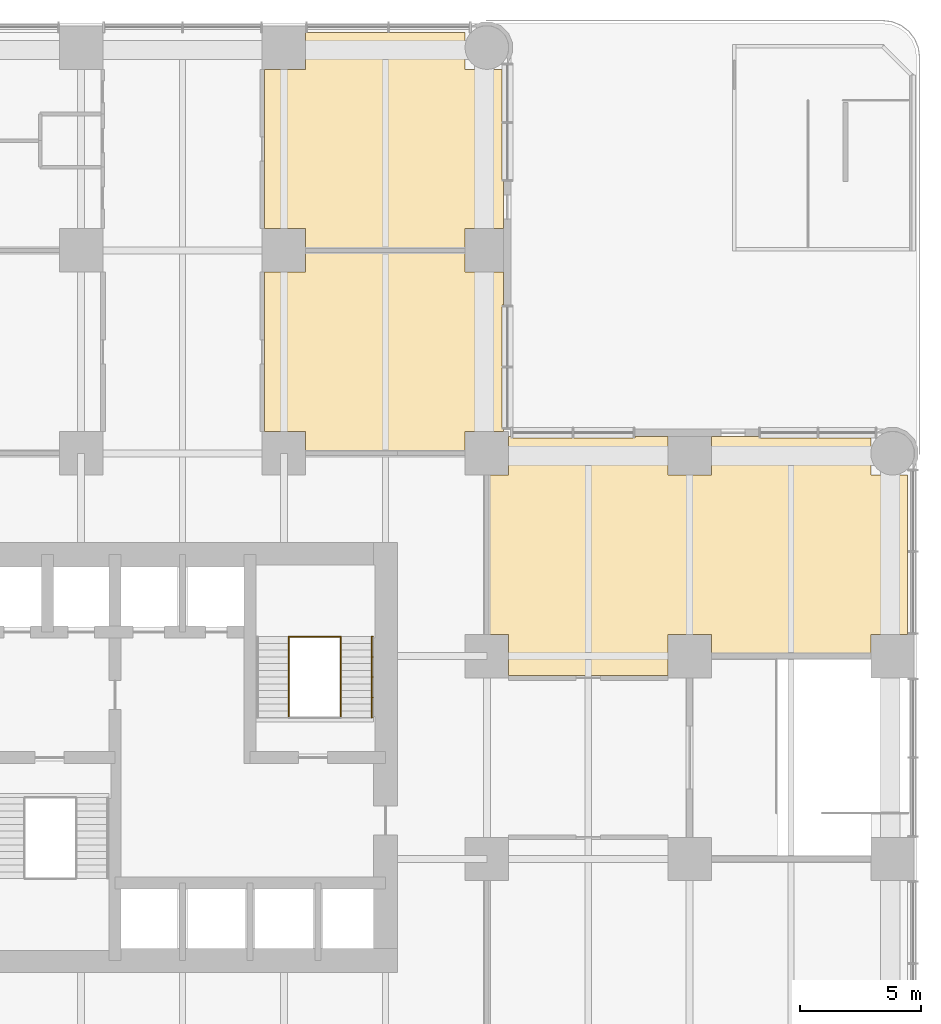
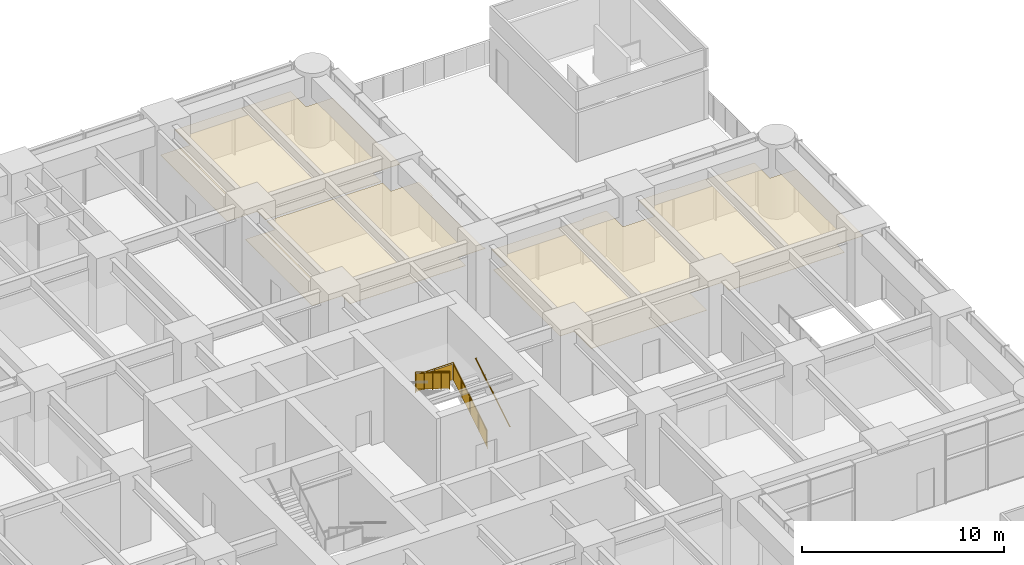
# One storey, part 19 of 21: 4 railings, 3 coverings.
"""IFC4 building model written with IfcOpenShell, lengths in metres."""

from ifc_helpers import new_model, si_unit, direction, frame, origin, origin_2d, place, context, subcontext, project, spatial, polyline, circle, outline, extrude, material, layer, layer_set, type_object, element, save


model = new_model("IFC4")

# Units and contexts
model_context = context("Model", 3, precision=1e-05, world=origin(), true_north=direction((0.0, 1.0)))
body_context = subcontext(model_context, "Body", "Model", "MODEL_VIEW")
ifc_project = project(units=[si_unit("LENGTHUNIT", "METRE"), si_unit("AREAUNIT", "SQUARE_METRE"), si_unit("VOLUMEUNIT", "CUBIC_METRE"), si_unit("PLANEANGLEUNIT", "RADIAN"), si_unit("MASSUNIT", "GRAM", prefix="KILO")], contexts=[model_context])

# Site, building, storey
site_placement = place(None, origin())
site = spatial("IfcSite", under=ifc_project, at=site_placement, CompositionType="ELEMENT")
building_placement = place(site_placement, origin())
building = spatial("IfcBuilding", under=site, at=building_placement, Name="Torre Alcanfor", CompositionType="ELEMENT")
storey_placement = place(building_placement, frame((0.0, 0.0, 24.0)))
storey = spatial("IfcBuildingStorey", under=building, at=storey_placement, Name="L05", CompositionType="ELEMENT", Elevation=24.0)

# Coverings
ifc_material_1 = material(Name="Mineral fibre acoustic tile 20 mm, NRC 0.70, on exposed suspension grid", Category="mineral fibre")
ifc_layer = layer(ifc_material_1, 0.02001953125)
ifc_layer_set = layer_set([ifc_layer], Name="Acoustic suspended ceiling 600x600 mineral fibre tile")
covering_type = type_object("IfcCoveringType", Name="Acoustic suspended ceiling 600x600 mineral fibre tile", PredefinedType="CEILING", material=ifc_layer_set)
covering_1_placement = place(storey_placement, frame((0.0, 0.0, 2.699951171875)))
element("IfcCovering", 1, at=covering_1_placement, inside=storey, type_object=covering_type, Name="Ceiling L05-07", PredefinedType="CEILING", context=body_context, shape_type="SweptSolid", body=[
    extrude(outline(polyline([(42.89990234375, 42.699951171875), (42.89990234375, 41.10009765625), (42.10009765625, 41.10009765625), (42.10009765625, 34.5), (42.89990234375, 34.5), (42.89990234375, 32.800048828125), (49.5, 32.800048828125), (49.5, 34.5), (51.300048828125, 34.5), (51.300048828125, 33.72509765625), (57.89990234375, 33.72509765625), (57.89990234375, 34.5), (59.425048828125, 34.5), (59.425048828125, 41.10009765625), (57.89990234375, 41.10009765625), (57.89990234375, 42.625), (53.2666015625, 42.625), (53.2666015625, 42.699951171875), (51.300048828125, 42.699951171875), (51.300048828125, 41.10009765625), (49.5, 41.10009765625), (49.5, 42.699951171875), (48.13330078125, 42.699951171875), (48.13330078125, 42.625), (43.0, 42.625), (43.0, 42.699951171875), (42.89990234375, 42.699951171875)])), origin(), (0.0, 0.0, 1.0), 0.02001953125),
])
covering_2_placement = place(storey_placement, frame((0.0, 0.0, 2.699951171875)))
element("IfcCovering", 2, at=covering_2_placement, inside=storey, type_object=covering_type, Name="Ceiling L05-09", PredefinedType="CEILING", context=body_context, shape_type="SweptSolid", body=[
    extrude(outline(polyline([(34.5, 50.324951171875), (34.5, 49.5), (32.800048828125, 49.5), (32.800048828125, 42.89990234375), (34.5, 42.89990234375), (34.5, 42.10009765625), (41.10009765625, 42.10009765625), (41.10009765625, 42.89990234375), (42.699951171875, 42.89990234375), (42.699951171875, 43.0), (42.625, 43.0), (42.625, 48.13330078125), (42.699951171875, 48.13330078125), (42.699951171875, 49.5), (41.10009765625, 49.5), (41.10009765625, 50.324951171875), (34.5, 50.324951171875)])), origin(), (0.0, 0.0, 1.0), 0.02001953125),
])
covering_3_placement = place(storey_placement, frame((0.0, 0.0, 2.699951171875)))
element("IfcCovering", 3, at=covering_3_placement, inside=storey, type_object=covering_type, Name="Ceiling L05-11", PredefinedType="CEILING", context=body_context, shape_type="SweptSolid", body=[
    extrude(outline(polyline([(41.10009765625, 51.300048828125), (42.699951171875, 51.300048828125), (42.699951171875, 53.2666015625), (42.625, 53.2666015625), (42.625, 57.89990234375), (41.10009765625, 57.89990234375), (41.10009765625, 59.425048828125), (34.5, 59.425048828125), (34.5, 57.89990234375), (32.800048828125, 57.89990234375), (32.800048828125, 51.300048828125), (34.5, 51.300048828125), (34.5, 50.47509765625), (41.10009765625, 50.47509765625), (41.10009765625, 51.300048828125)])), origin(), (0.0, 0.0, 1.0), 0.02001953125),
])

# Railings
ifc_material_2 = material(Name="Steel ASTM A500 Grade C hollow sections", Category="steel")
railing_type_1 = type_object("IfcRailingType", Name="Stair guard and handrail 1100", PredefinedType="GUARDRAIL", material=ifc_material_2)
railing_1_placement = place(storey_placement, frame((35.949951171875, 31.050048828125, 0.173095703125)))
element("IfcRailing", 4, at=railing_1_placement, inside=storey, type_object=railing_type_1, Name="Stair guard S2 L05 flight 1", PredefinedType="GUARDRAIL", context=body_context, shape_type="SweptSolid", body=[
    extrude(circle(Radius=0.02392578125, at=origin_2d()), frame((0.0, 0.0, 1.076171875), z_axis=(0.0, 0.850606129759, 0.525803396734), x_axis=(-1.0, 0.0, 0.0)), (0.0, 0.0, 1.0), 3.949951171875),
    extrude(circle(Radius=0.02099609375, at=origin_2d()), origin(), (0.0, 0.0, 1.0), 1.052001953125),
    extrude(circle(Radius=0.02099609375, at=origin_2d()), frame((0.0, 0.83984375, 0.519287109375)), (0.0, 0.0, 1.0), 1.052001953125),
    extrude(circle(Radius=0.02099609375, at=origin_2d()), frame((0.0, 1.679931640625, 1.03857421875)), (0.0, 0.0, 1.0), 1.052001953125),
    extrude(circle(Radius=0.02099609375, at=origin_2d()), frame((0.0, 2.52001953125, 1.5576171875)), (0.0, 0.0, 1.0), 1.052001953125),
    extrude(circle(Radius=0.02099609375, at=origin_2d()), frame((0.0, 3.35986328125, 2.076904296875)), (0.0, 0.0, 1.0), 1.052001953125),
    extrude(outline(polyline([(0.041015625, 0.075439453125), (0.799072265625, 0.5439453125), (0.799072265625, 1.495849609375), (0.041015625, 1.02734375), (0.041015625, 0.075439453125)])), frame((-0.005859375, 0.0, 0.0), z_axis=(1.0, 0.0, 0.0), x_axis=(0.0, 1.0, 0.0)), (0.0, 0.0, 1.0), 0.011962890625),
    extrude(outline(polyline([(0.880859375, 0.594482421875), (1.638916015625, 1.06298828125), (1.638916015625, 2.01513671875), (0.880859375, 1.546630859375), (0.880859375, 0.594482421875)])), frame((-0.005859375, 0.0, 0.0), z_axis=(1.0, 0.0, 0.0), x_axis=(0.0, 1.0, 0.0)), (0.0, 0.0, 1.0), 0.011962890625),
    extrude(outline(polyline([(1.720947265625, 1.11376953125), (2.47900390625, 1.582275390625), (2.47900390625, 2.534423828125), (1.720947265625, 2.06591796875), (1.720947265625, 1.11376953125)])), frame((-0.005859375, 0.0, 0.0), z_axis=(1.0, 0.0, 0.0), x_axis=(0.0, 1.0, 0.0)), (0.0, 0.0, 1.0), 0.011962890625),
    extrude(outline(polyline([(2.560791015625, 1.633056640625), (3.31884765625, 2.1015625), (3.31884765625, 3.053466796875), (2.560791015625, 2.5849609375), (2.560791015625, 1.633056640625)])), frame((-0.005859375, 0.0, 0.0), z_axis=(1.0, 0.0, 0.0), x_axis=(0.0, 1.0, 0.0)), (0.0, 0.0, 1.0), 0.011962890625),
])
railing_2_placement = place(storey_placement, frame((33.800048828125, 34.409912109375, 2.423095703125)))
element("IfcRailing", 5, at=railing_2_placement, inside=storey, type_object=railing_type_1, Name="Stair guard S2 L05 flight 2", PredefinedType="GUARDRAIL", context=body_context, shape_type="SweptSolid", body=[
    extrude(circle(Radius=0.02392578125, at=origin_2d()), frame((0.0, 0.0, 1.076171875), z_axis=(0.0, -0.850606129759, 0.525803396734), x_axis=(1.0, 0.0, 0.0)), (0.0, 0.0, 1.0), 3.949951171875),
    extrude(circle(Radius=0.02099609375, at=origin_2d()), origin(), (0.0, 0.0, 1.0), 1.052001953125),
    extrude(circle(Radius=0.02099609375, at=origin_2d()), frame((0.0, -0.83984375, 0.519287109375)), (0.0, 0.0, 1.0), 1.052001953125),
    extrude(circle(Radius=0.02099609375, at=origin_2d()), frame((0.0, -1.679931640625, 1.03857421875)), (0.0, 0.0, 1.0), 1.052001953125),
    extrude(circle(Radius=0.02099609375, at=origin_2d()), frame((0.0, -2.52001953125, 1.5576171875)), (0.0, 0.0, 1.0), 1.052001953125),
    extrude(circle(Radius=0.02099609375, at=origin_2d()), frame((0.0, -3.35986328125, 2.076904296875)), (0.0, 0.0, 1.0), 1.052001953125),
    extrude(outline(polyline([(0.041015625, 0.075439453125), (0.799072265625, 0.5439453125), (0.799072265625, 1.495849609375), (0.041015625, 1.02734375), (0.041015625, 0.075439453125)])), frame((0.005859375, 0.0, 0.0), z_axis=(-1.0, 0.0, 0.0), x_axis=(0.0, -1.0, 0.0)), (0.0, 0.0, 1.0), 0.011962890625),
    extrude(outline(polyline([(0.880859375, 0.594482421875), (1.638916015625, 1.06298828125), (1.638916015625, 2.01513671875), (0.880859375, 1.546630859375), (0.880859375, 0.594482421875)])), frame((0.005859375, 0.0, 0.0), z_axis=(-1.0, 0.0, 0.0), x_axis=(0.0, -1.0, 0.0)), (0.0, 0.0, 1.0), 0.011962890625),
    extrude(outline(polyline([(1.720947265625, 1.11376953125), (2.47900390625, 1.582275390625), (2.47900390625, 2.534423828125), (1.720947265625, 2.06591796875), (1.720947265625, 1.11376953125)])), frame((0.005859375, 0.0, 0.0), z_axis=(-1.0, 0.0, 0.0), x_axis=(0.0, -1.0, 0.0)), (0.0, 0.0, 1.0), 0.011962890625),
    extrude(outline(polyline([(2.560791015625, 1.633056640625), (3.31884765625, 2.1015625), (3.31884765625, 3.053466796875), (2.560791015625, 2.5849609375), (2.560791015625, 1.633056640625)])), frame((0.005859375, 0.0, 0.0), z_axis=(-1.0, 0.0, 0.0), x_axis=(0.0, -1.0, 0.0)), (0.0, 0.0, 1.0), 0.011962890625),
])
railing_3_placement = place(storey_placement, frame((33.800048828125, 34.409912109375, 2.25)))
element("IfcRailing", 6, at=railing_3_placement, inside=storey, type_object=railing_type_1, Name="Stair well guard S2 L05 half landing", PredefinedType="GUARDRAIL", context=body_context, shape_type="SweptSolid", body=[
    extrude(circle(Radius=0.02392578125, at=origin_2d()), frame((0.0, 0.0, 1.076171875), z_axis=(1.0, 0.0, 0.0), x_axis=(0.0, 1.0, 0.0)), (0.0, 0.0, 1.0), 2.14990234375),
    extrude(circle(Radius=0.02099609375, at=origin_2d()), origin(), (0.0, 0.0, 1.0), 1.052001953125),
    extrude(circle(Radius=0.02099609375, at=origin_2d()), frame((1.074951171875, 0.0, 0.0)), (0.0, 0.0, 1.0), 1.052001953125),
    extrude(circle(Radius=0.02099609375, at=origin_2d()), frame((2.14990234375, 0.0, 0.0)), (0.0, 0.0, 1.0), 1.052001953125),
    extrude(outline(polyline([(0.041015625, 0.050048828125), (1.033935546875, 0.050048828125), (1.033935546875, 1.001953125), (0.041015625, 1.001953125), (0.041015625, 0.050048828125)])), frame((0.0, 0.005859375, 0.0), z_axis=(0.0, -1.0, 0.0), x_axis=(1.0, 0.0, 0.0)), (0.0, 0.0, 1.0), 0.011962890625),
    extrude(outline(polyline([(1.115966796875, 0.050048828125), (2.10888671875, 0.050048828125), (2.10888671875, 1.001953125), (1.115966796875, 1.001953125), (1.115966796875, 0.050048828125)])), frame((0.0, 0.005859375, 0.0), z_axis=(0.0, -1.0, 0.0), x_axis=(1.0, 0.0, 0.0)), (0.0, 0.0, 1.0), 0.011962890625),
])
ifc_material_3 = material(Name="Steel ASTM A500 Grade C hollow sections", Category="steel")
railing_type_2 = type_object("IfcRailingType", Name="Stair wall handrail 900", PredefinedType="HANDRAIL", material=ifc_material_3)
railing_4_placement = place(storey_placement, frame((37.235107421875, 31.050048828125, 0.173095703125)))
element("IfcRailing", 7, at=railing_4_placement, inside=storey, type_object=railing_type_2, Name="Stair handrail S2 L05 flight 1", PredefinedType="HANDRAIL", context=body_context, shape_type="SweptSolid", body=[
    extrude(circle(Radius=0.02392578125, at=origin_2d()), frame((0.0, 0.0, 0.8759765625), z_axis=(0.0, 0.850606129759, 0.525803396734), x_axis=(-1.0, 0.0, 0.0)), (0.0, 0.0, 1.0), 3.949951171875),
    extrude(circle(Radius=0.008056640625, at=origin_2d()), frame((0.0, 0.0, 0.8759765625), z_axis=(1.0, 0.0, 0.0), x_axis=(0.0, 0.0, 1.0)), (0.0, 0.0, 1.0), 0.06494140625),
    extrude(circle(Radius=0.008056640625, at=origin_2d()), frame((0.0, 0.83984375, 1.39501953125), z_axis=(1.0, 0.0, 0.0), x_axis=(0.0, 0.0, 1.0)), (0.0, 0.0, 1.0), 0.06494140625),
    extrude(circle(Radius=0.008056640625, at=origin_2d()), frame((0.0, 1.679931640625, 1.914306640625), z_axis=(1.0, 0.0, 0.0), x_axis=(0.0, 0.0, 1.0)), (0.0, 0.0, 1.0), 0.06494140625),
    extrude(circle(Radius=0.008056640625, at=origin_2d()), frame((0.0, 2.52001953125, 2.43359375), z_axis=(1.0, 0.0, 0.0), x_axis=(0.0, 0.0, 1.0)), (0.0, 0.0, 1.0), 0.06494140625),
    extrude(circle(Radius=0.008056640625, at=origin_2d()), frame((0.0, 3.35986328125, 2.95263671875), z_axis=(1.0, 0.0, 0.0), x_axis=(0.0, 0.0, 1.0)), (0.0, 0.0, 1.0), 0.06494140625),
])

save(model, "model.ifc")
